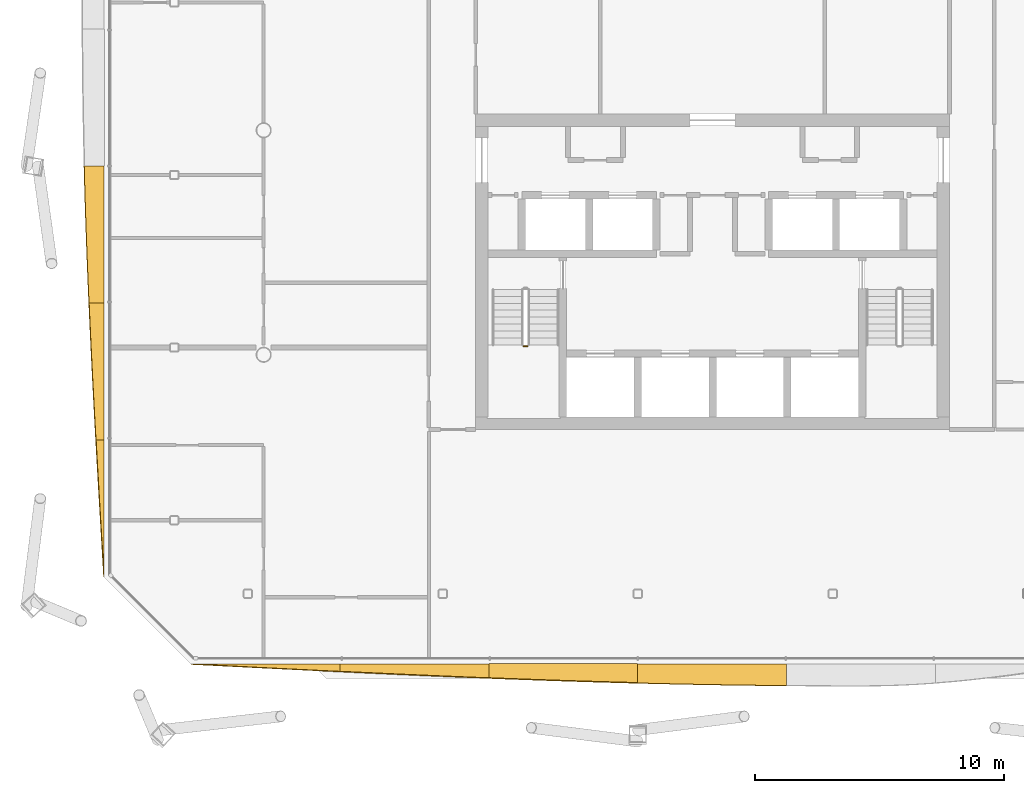
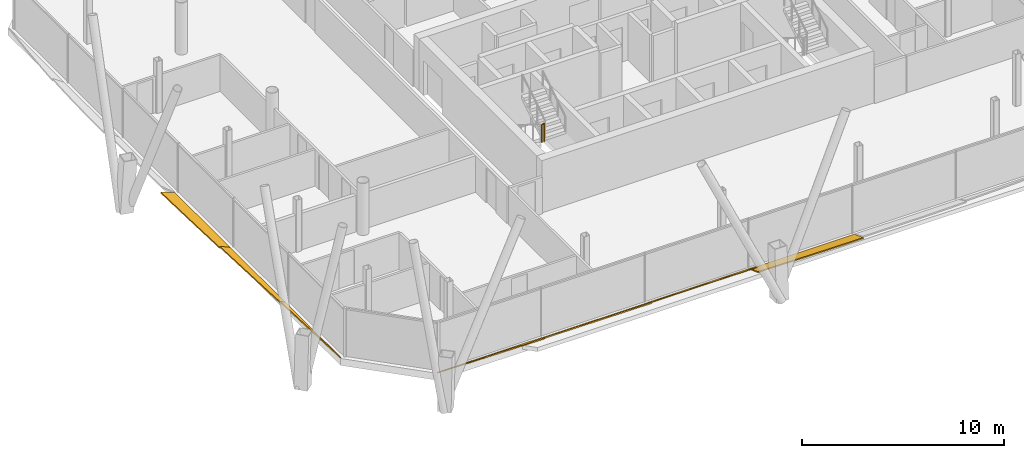
# One storey, part 17 of 21: 7 shading devices, 1 railing.
"""IFC4 building model written with IfcOpenShell, lengths in metres."""

from ifc_helpers import new_model, si_unit, direction, frame, origin, origin_2d, place, context, subcontext, project, spatial, polyline, circle, outline, extrude, material, layer, layer_set, type_object, element, save


model = new_model("IFC4")

# Units and contexts
model_context = context("Model", 3, precision=1e-05, world=origin(), true_north=direction((0.0, 1.0)))
body_context = subcontext(model_context, "Body", "Model", "MODEL_VIEW")
ifc_project = project(units=[si_unit("LENGTHUNIT", "METRE"), si_unit("AREAUNIT", "SQUARE_METRE"), si_unit("VOLUMEUNIT", "CUBIC_METRE"), si_unit("PLANEANGLEUNIT", "RADIAN"), si_unit("MASSUNIT", "GRAM", prefix="KILO")], contexts=[model_context])

# Site, building, storey
site_placement = place(None, origin())
site = spatial("IfcSite", under=ifc_project, at=site_placement, CompositionType="ELEMENT")
building_placement = place(site_placement, origin())
building = spatial("IfcBuilding", under=site, at=building_placement, Name="Tskaro Facet Tower", CompositionType="ELEMENT")
storey_placement = place(building_placement, frame((0.0, 0.0, 172.199951171875)))
storey = spatial("IfcBuildingStorey", under=building, at=storey_placement, Name="L42", CompositionType="ELEMENT", Elevation=172.199951171875)

# Shading devices
ifc_material_1 = material(Name="Bronze anodised aluminium 6063-T6", Category="aluminium")
ifc_layer = layer(ifc_material_1, 0.06005859375, Name="Bronze anodised aluminium 6063-T6")
ifc_layer_set = layer_set([ifc_layer], Name="Bronze anodised aluminium 6063-T6")
shading_device_type = type_object("IfcShadingDeviceType", Name="Bronze sun blade (FN1)", PredefinedType="USERDEFINED", material=ifc_layer_set)
shading_device_1_placement = place(storey_placement, frame((-20.904052734375, -21.39599609375, 0.052001953125), z_axis=(3.015308e-06, 0.500074384976, 0.865982453333), x_axis=(0.999999999995, -1.507878e-06, -2.611204e-06)))
element("IfcShadingDevice", 1, at=shading_device_1_placement, inside=storey, type_object=shading_device_type, Name="Fin blade south 1", ObjectType="FIN", PredefinedType="USERDEFINED", context=body_context, shape_type="SweptSolid", body=[
    extrude(outline(polyline([(0.0, 0.0), (5.968017578097869, -1.2637768796161726e-21), (5.968017578151751, -0.344218021712619), (5.222167968851973, -0.3027615413991962), (4.476074218460292, -0.2605487081206877), (3.7299804689754796, -0.21788027639899205), (2.9841308593793965, -0.17478900168250278), (2.238037109427682, -0.1313642169957215), (1.4919433591078324, -0.0877280108115434), (0.7460937500504828, -0.04396971615447011), (0.0, 0.0)])), origin(), (0.0, 0.0, -1.0), 0.06005859375),
])
shading_device_2_placement = place(storey_placement, frame((-14.93603515625, -21.3916015625, 0.04931640625), z_axis=(7.802506e-06, 0.57346427751, 0.819230567276), x_axis=(0.99999999997, -4.474458e-06, -6.392051e-06)))
element("IfcShadingDevice", 2, at=shading_device_2_placement, inside=storey, type_object=shading_device_type, Name="Fin blade south 2", ObjectType="FIN", PredefinedType="USERDEFINED", context=body_context, shape_type="SweptSolid", body=[
    extrude(outline(polyline([(0.0, 0.0), (5.968017577943336, 0.0), (5.9680175782680465, -0.6842066593039915), (5.221923827665864, -0.6479052450460507), (4.476074218000764, -0.6103837831558381), (3.729980469115158, -0.5718422810960735), (2.9841308585136788, -0.5320207298684481), (2.2380371097840914, -0.49137914593399046), (1.4919433598060334, -0.4496575202943918), (0.7460937502968963, -0.40705586041237196), (-4.614682720972875e-10, -0.3639141796777816), (0.0, 0.0)])), origin(), (0.0, 0.0, -1.0), 0.06005859375),
])
shading_device_3_placement = place(storey_placement, frame((-8.968017578125, -21.387451171875, 0.0458984375), z_axis=(8.258265e-06, 0.642828687402, 0.766009972901), x_axis=(0.999999999966, -5.30865e-06, -6.325913e-06)))
element("IfcShadingDevice", 3, at=shading_device_3_placement, inside=storey, type_object=shading_device_type, Name="Fin blade south 3", ObjectType="FIN", PredefinedType="USERDEFINED", context=body_context, shape_type="SweptSolid", body=[
    extrude(outline(polyline([(0.0, 0.0), (5.9680175779214935, 5.0551075184646904e-21), (5.96801757837894, -0.9863835369754501), (5.221923828443807, -0.9605634299070962), (4.476074219079385, -0.9328365349298833), (3.7299804674912793, -0.9033597926413269), (2.984130859065999, -0.8723502907510052), (2.2380371099614473, -0.8394340009518246), (1.4919433590098476, -0.8051118185923631), (0.7460937499250162, -0.7690698624775893), (-3.3579747148560575e-10, -0.7318090279560816), (0.0, 0.0)])), origin(), (0.0, 0.0, -1.0), 0.06005859375),
])
shading_device_4_placement = place(storey_placement, frame((-3.0, -21.405517578125, 0.056396484375), z_axis=(1.4716792e-05, 0.342021007371, 0.939692306183), x_axis=(0.999999999892, -5.033452e-06, -1.3829256e-05)))
element("IfcShadingDevice", 4, at=shading_device_4_placement, inside=storey, type_object=shading_device_type, Name="Fin blade south 4", ObjectType="FIN", PredefinedType="USERDEFINED", context=body_context, shape_type="SweptSolid", body=[
    extrude(outline(polyline([(0.0, 0.0), (5.968017577478712, 0.0), (5.968017578393022, -0.9152848941747683), (5.22192382751796, -0.9072544516512503), (4.476074218794631, -0.8973675859914482), (3.7299804688256737, -0.8859372154848374), (2.983886718236062, -0.8729633401314184), (2.2380371097981833, -0.858133041641715), (1.4919433588858058, -0.841529821238239), (0.7460937492066183, -0.8236125130549189), (-1.7181971056853224e-09, -0.8041517000247903), (0.0, 0.0)])), origin(), (0.0, 0.0, -1.0), 0.06005859375),
])
shading_device_5_placement = place(storey_placement, frame((-24.405517578125, -1.4345703125, 0.056396484375), z_axis=(0.342032398625, -9.878362e-06, 0.939688160079), x_axis=(-3.37872e-06, -0.999999999951, -9.28258e-06)))
element("IfcShadingDevice", 5, at=shading_device_5_placement, inside=storey, type_object=shading_device_type, Name="Fin blade west 4", ObjectType="FIN", PredefinedType="USERDEFINED", context=body_context, shape_type="SweptSolid", body=[
    extrude(outline(polyline([(0.0, 0.0), (5.48974609348215, 2.3249979067334225e-21), (5.489746093761828, -0.633926728686332), (4.8034667961910325, -0.6651308314097826), (4.117187499028332, -0.6950208458524938), (3.4311523435152056, -0.7230544359014546), (2.744873047785187, -0.7497739376696758), (2.058593750813498, -0.7747205190477214), (1.3723144526001398, -0.7978941800355912), (0.6862792968612376, -0.819440832684429), (-7.443227642048776e-10, -0.839214564943091), (0.0, 0.0)])), origin(), (0.0, 0.0, -1.0), 0.06005859375),
])
shading_device_6_placement = place(storey_placement, frame((-24.400634765625, -6.92431640625, 0.054443359375), z_axis=(0.422604360965, -1.0779624e-05, 0.906314268881), x_axis=(-4.555516e-06, -0.999999999942, -9.769727e-06)))
element("IfcShadingDevice", 6, at=shading_device_6_placement, inside=storey, type_object=shading_device_type, Name="Fin blade west 5", ObjectType="FIN", PredefinedType="USERDEFINED", context=body_context, shape_type="SweptSolid", body=[
    extrude(outline(polyline([(0.0, 0.0), (5.489746093431045, 4.649995813466845e-21), (5.4897460941581935, -0.3531223806485698), (4.803710936218297, -0.3949507082943076), (4.1174316403602305, -0.43558443873333097), (3.4311523435507914, -0.475451189883343), (2.7448730470629807, -0.5142265187194601), (2.0585937508967986, -0.5519104252416824), (1.3725585921798562, -0.5883848162107655), (0.6862792979299314, -0.6235614350803145), (-6.079256196320175e-10, -0.6573072702646604), (0.0, 0.0)])), origin(), (0.0, 0.0, -1.0), 0.06005859375),
])
shading_device_7_placement = place(storey_placement, frame((-24.39599609375, -12.4140625, 0.052001953125), z_axis=(0.500096786743, 4.122009e-06, 0.865969516711), x_axis=(2.061404e-06, -0.999999999992, 3.569534e-06)))
element("IfcShadingDevice", 7, at=shading_device_7_placement, inside=storey, type_object=shading_device_type, Name="Fin blade west 6", ObjectType="FIN", PredefinedType="USERDEFINED", context=body_context, shape_type="SweptSolid", body=[
    extrude(outline(polyline([(0.0, 0.0), (5.48999023432836, 0.0), (4.803710937441864, -0.04736139334060872), (4.117431641058641, -0.09451136834217493), (3.4311523438039484, -0.14153924940166418), (2.7451171873093303, -0.18802219984099142), (2.0588378906929865, -0.23429373194127615), (1.3725585937084475, -0.2802317517604414), (0.6862792964907886, -0.3252913286783251), (-8.852182823821707e-11, -0.36959455663700436), (0.0, 0.0)])), origin(), (0.0, 0.0, -1.0), 0.06005859375),
])

# Railing
ifc_material_2 = material(Name="Stainless steel", Category="steel")
railing_type = type_object("IfcRailingType", Name="RL-GUARD-1100", PredefinedType="GUARDRAIL", material=ifc_material_2)
railing_placement = place(storey_placement, frame((-7.574951171875, -8.6650390625, 1.574951171875)))
element("IfcRailing", 8, at=railing_placement, inside=storey, type_object=railing_type, Name="L42 ST-1 stair guard 2", PredefinedType="GUARDRAIL", context=body_context, shape_type="SweptSolid", body=[
    extrude(circle(Radius=0.02392578125, at=origin_2d()), frame((0.0, 0.0, 1.076171875), z_axis=(1.0, 0.0, 0.0), x_axis=(0.0, 1.0, 0.0)), (0.0, 0.0, 1.0), 0.14990234375),
    extrude(circle(Radius=0.02099609375, at=origin_2d()), origin(), (0.0, 0.0, 1.0), 1.052001953125),
    extrude(circle(Radius=0.02099609375, at=origin_2d()), frame((0.14990234375, 0.0, 0.0)), (0.0, 0.0, 1.0), 1.052001953125),
])

save(model, "model.ifc")
